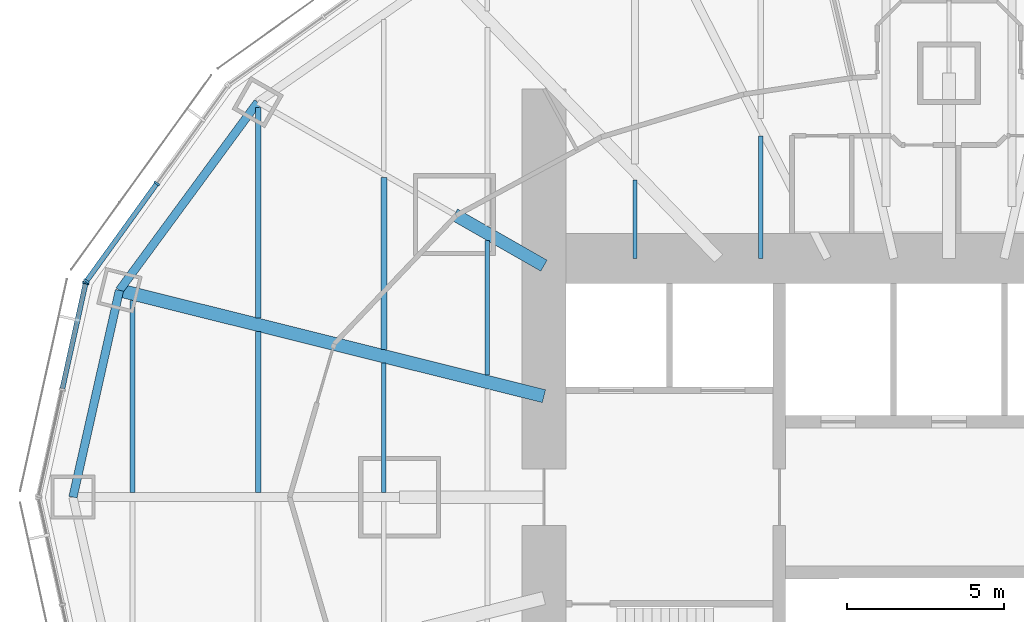
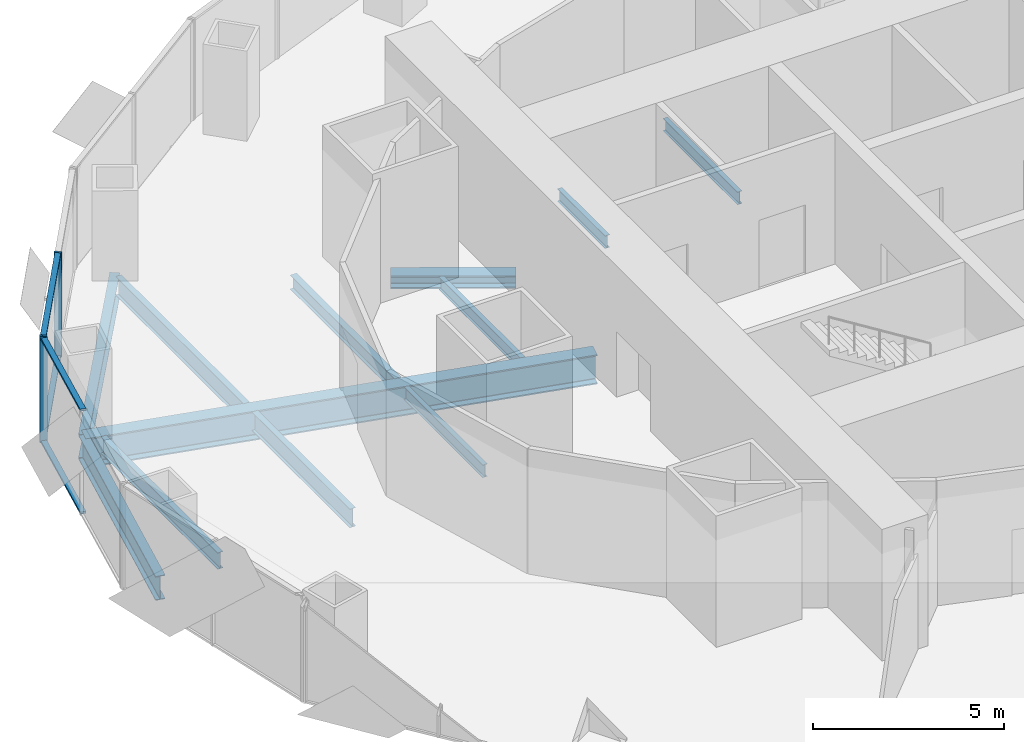
# One storey, part 4 of 18: 12 beams, 7 members, 2 elements without a shape of their own.
"""IFC4 building model written with IfcOpenShell, lengths in metres."""

from ifc_helpers import new_model, si_unit, direction, frame, origin, origin_2d, place, context, subcontext, project, spatial, rectangle, i_section, extrude, material, material_profile, profile_set, type_object, element, aggregate, save


model = new_model("IFC4")

# Units and contexts
model_context = context("Model", 3, precision=1e-05, world=origin(), true_north=direction((0.0, 1.0)))
body_context = subcontext(model_context, "Body", "Model", "MODEL_VIEW")
ifc_project = project(units=[si_unit("LENGTHUNIT", "METRE"), si_unit("AREAUNIT", "SQUARE_METRE"), si_unit("VOLUMEUNIT", "CUBIC_METRE"), si_unit("PLANEANGLEUNIT", "RADIAN"), si_unit("MASSUNIT", "GRAM", prefix="KILO")], contexts=[model_context])

# Site, building, storey
site_placement = place(None, origin())
site = spatial("IfcSite", under=ifc_project, at=site_placement, CompositionType="ELEMENT")
building_placement = place(site_placement, origin())
building = spatial("IfcBuilding", under=site, at=building_placement, Name="Lantaw Convention Tower", CompositionType="ELEMENT")
storey_placement = place(building_placement, frame((0.0, 0.0, 188.800048828125)))
storey = spatial("IfcBuildingStorey", under=building, at=storey_placement, Name="L44", CompositionType="ELEMENT", Elevation=188.800048828125)

# Beams
ifc_material_1 = material(Name="Steel ASTM A992", Category="steel")
ifc_material_profile_1 = material_profile(ifc_material_1, i_section(OverallWidth=0.2666015625, OverallDepth=0.76953125, WebThickness=0.015625, FlangeThickness=0.025390625, FilletRadius=0.0126953125, at=origin_2d()), Name="W30X132")
ifc_profile_set_1 = profile_set([ifc_material_profile_1], Name="Steel ASTM A992")
beam_type_1 = type_object("IfcBeamType", Name="Beam E W30X132", PredefinedType="SPANDREL", material=ifc_profile_set_1)
beam_1_placement = place(storey_placement, frame((-22.013916015625, 12.579345703125, -0.534912109375), z_axis=(-0.5923891972, -0.805651934176, 0.0), x_axis=(0.805651934176, -0.5923891972, 0.0)))
element("IfcBeam", 1, at=beam_1_placement, inside=storey, type_object=beam_type_1, Name="Edge beam 11", PredefinedType="SPANDREL", context=body_context, shape_type="SweptSolid", body=[
    extrude(i_section(OverallWidth=0.2666015625, OverallDepth=0.76953125, WebThickness=0.015625, FlangeThickness=0.025390625, FilletRadius=0.0126953125, at=origin_2d()), origin(), (0.0, 0.0, 1.0), 7.437744140625),
])
beam_2_placement = place(storey_placement, frame((-26.419921875, 6.587158203125, -0.534912109375), z_axis=(-0.219211877447, -0.975677279015, 0.0), x_axis=(0.975677279015, -0.219211877447, 0.0)))
element("IfcBeam", 2, at=beam_2_placement, inside=storey, type_object=beam_type_1, Name="Edge beam 12", PredefinedType="SPANDREL", context=body_context, shape_type="SweptSolid", body=[
    extrude(i_section(OverallWidth=0.2666015625, OverallDepth=0.76953125, WebThickness=0.015625, FlangeThickness=0.025390625, FilletRadius=0.0126953125, at=origin_2d()), origin(), (0.0, 0.0, 1.0), 6.75146484375),
])
ifc_material_profile_2 = material_profile(ifc_material_1, i_section(OverallWidth=0.421630859375, OverallDepth=0.937255859375, WebThickness=0.0224609375, FlangeThickness=0.039794921875, FilletRadius=0.02001953125, at=origin_2d()), Name="W36X282")
ifc_profile_set_2 = profile_set([ifc_material_profile_2], Name="Steel ASTM A992")
beam_type_2 = type_object("IfcBeamType", Name="Beam G W36X282", PredefinedType="BEAM", material=ifc_profile_set_2)
beam_3_placement = place(storey_placement, frame((-12.89990234375, 3.21630859375, -0.61865234375), z_axis=(-0.970296903132, 0.24191717544, 0.0), x_axis=(-0.24191717544, -0.970296903132, 0.0)))
element("IfcBeam", 3, at=beam_3_placement, inside=storey, type_object=beam_type_2, Name="Floor girder on ray 12", PredefinedType="BEAM", context=body_context, shape_type="SweptSolid", body=[
    extrude(i_section(OverallWidth=0.421630859375, OverallDepth=0.937255859375, WebThickness=0.0224609375, FlangeThickness=0.039794921875, FilletRadius=0.02001953125, at=origin_2d()), origin(), (0.0, 0.0, 1.0), 13.933837890625),
])
ifc_material_profile_3 = material_profile(ifc_material_1, i_section(OverallWidth=0.40380859375, OverallDepth=0.406494140625, WebThickness=0.027099609375, FlangeThickness=0.043701171875, FilletRadius=0.01513671875, at=origin_2d()), Name="W14X233")
ifc_profile_set_3 = profile_set([ifc_material_profile_3], Name="Steel ASTM A992")
beam_type_3 = type_object("IfcBeamType", Name="Beam GM W14X233", PredefinedType="BEAM", material=ifc_profile_set_3)
beam_4_placement = place(storey_placement, frame((-12.89990234375, 7.371337890625, -0.353271484375), z_axis=(-0.868238565244, 0.496146947811, 0.0), x_axis=(-0.496146947811, -0.868238565244, 0.0)))
element("IfcBeam", 4, at=beam_4_placement, inside=storey, type_object=beam_type_3, Name="Core link beam on ray 11", PredefinedType="BEAM", context=body_context, shape_type="SweptSolid", body=[
    extrude(i_section(OverallWidth=0.40380859375, OverallDepth=0.406494140625, WebThickness=0.027099609375, FlangeThickness=0.043701171875, FilletRadius=0.01513671875, at=origin_2d()), origin(), (0.0, 0.0, 1.0), 3.28271484375),
])
ifc_material_profile_4 = material_profile(ifc_material_1, i_section(OverallWidth=0.140380859375, OverallDepth=0.40380859375, WebThickness=0.007080078125, FlangeThickness=0.01123046875, FilletRadius=0.01025390625, at=origin_2d()), Name="W16X31")
ifc_profile_set_4 = profile_set([ifc_material_profile_4], Name="Steel ASTM A992")
beam_type_4 = type_object("IfcBeamType", Name="Beam J W16X31", PredefinedType="JOIST", material=ifc_profile_set_4)
beam_5_placement = place(storey_placement, frame((-18.0, 0.14599609375, -0.35205078125), z_axis=(0.0, 1.0, 0.0), x_axis=(-1.0, 0.0, 0.0)))
element("IfcBeam", 5, at=beam_5_placement, inside=storey, type_object=beam_type_4, Name="Floor joist", PredefinedType="JOIST", context=body_context, shape_type="SweptSolid", body=[
    extrude(i_section(OverallWidth=0.140380859375, OverallDepth=0.40380859375, WebThickness=0.007080078125, FlangeThickness=0.01123046875, FilletRadius=0.01025390625, at=origin_2d()), origin(), (0.0, 0.0, 1.0), 4.124755859375),
])
beam_6_placement = place(storey_placement, frame((-14.699951171875, 3.88232421875, -0.35205078125), z_axis=(0.0, 1.0, 0.0), x_axis=(-1.0, 0.0, 0.0)))
element("IfcBeam", 6, at=beam_6_placement, inside=storey, type_object=beam_type_4, Name="Floor joist", PredefinedType="JOIST", context=body_context, shape_type="SweptSolid", body=[
    extrude(i_section(OverallWidth=0.140380859375, OverallDepth=0.40380859375, WebThickness=0.007080078125, FlangeThickness=0.01123046875, FilletRadius=0.01025390625, at=origin_2d()), origin(), (0.0, 0.0, 1.0), 4.28515625),
])
beam_7_placement = place(storey_placement, frame((-10.0, 7.60009765625, -0.35205078125), z_axis=(0.0, 1.0, 0.0), x_axis=(-1.0, 0.0, 0.0)))
element("IfcBeam", 7, at=beam_7_placement, inside=storey, type_object=beam_type_4, Name="Floor joist", PredefinedType="JOIST", context=body_context, shape_type="SweptSolid", body=[
    extrude(i_section(OverallWidth=0.140380859375, OverallDepth=0.40380859375, WebThickness=0.007080078125, FlangeThickness=0.01123046875, FilletRadius=0.01025390625, at=origin_2d()), origin(), (0.0, 0.0, 1.0), 2.49560546875),
])
beam_8_placement = place(storey_placement, frame((-6.0, 7.60009765625, -0.35205078125), z_axis=(0.0, 1.0, 0.0), x_axis=(-1.0, 0.0, 0.0)))
element("IfcBeam", 8, at=beam_8_placement, inside=storey, type_object=beam_type_4, Name="Floor joist", PredefinedType="JOIST", context=body_context, shape_type="SweptSolid", body=[
    extrude(i_section(OverallWidth=0.140380859375, OverallDepth=0.40380859375, WebThickness=0.007080078125, FlangeThickness=0.01123046875, FilletRadius=0.01025390625, at=origin_2d()), origin(), (0.0, 0.0, 1.0), 3.895751953125),
])
ifc_material_profile_5 = material_profile(ifc_material_1, i_section(OverallWidth=0.1904296875, OverallDepth=0.457275390625, WebThickness=0.009033203125, FlangeThickness=0.014404296875, FilletRadius=0.01025390625, at=origin_2d()), Name="W18X50")
ifc_profile_set_5 = profile_set([ifc_material_profile_5], Name="Steel ASTM A992")
beam_type_5 = type_object("IfcBeamType", Name="Beam J W18X50", PredefinedType="JOIST", material=ifc_profile_set_5)
beam_9_placement = place(storey_placement, frame((-18.0, 4.705078125, -0.378662109375), z_axis=(0.0, 1.0, 0.0), x_axis=(-1.0, 0.0, 0.0)))
element("IfcBeam", 9, at=beam_9_placement, inside=storey, type_object=beam_type_5, Name="Floor joist", PredefinedType="JOIST", context=body_context, shape_type="SweptSolid", body=[
    extrude(i_section(OverallWidth=0.1904296875, OverallDepth=0.457275390625, WebThickness=0.009033203125, FlangeThickness=0.014404296875, FilletRadius=0.01025390625, at=origin_2d()), origin(), (0.0, 0.0, 1.0), 5.47802734375),
])
ifc_material_profile_6 = material_profile(ifc_material_1, i_section(OverallWidth=0.1650390625, OverallDepth=0.52587890625, WebThickness=0.0087890625, FlangeThickness=0.011474609375, FilletRadius=0.0126953125, at=origin_2d()), Name="W21X44")
ifc_profile_set_6 = profile_set([ifc_material_profile_6], Name="Steel ASTM A992")
beam_type_6 = type_object("IfcBeamType", Name="Beam J W21X44", PredefinedType="JOIST", material=ifc_profile_set_6)
beam_10_placement = place(storey_placement, frame((-26.0, 0.14599609375, -0.412841796875), z_axis=(0.0, 1.0, 0.0), x_axis=(-1.0, 0.0, 0.0)))
element("IfcBeam", 10, at=beam_10_placement, inside=storey, type_object=beam_type_6, Name="Floor joist", PredefinedType="JOIST", context=body_context, shape_type="SweptSolid", body=[
    extrude(i_section(OverallWidth=0.1650390625, OverallDepth=0.52587890625, WebThickness=0.0087890625, FlangeThickness=0.011474609375, FilletRadius=0.0126953125, at=origin_2d()), origin(), (0.0, 0.0, 1.0), 6.119140625),
])
ifc_material_profile_7 = material_profile(ifc_material_1, i_section(OverallWidth=0.177978515625, OverallDepth=0.599365234375, WebThickness=0.010009765625, FlangeThickness=0.012939453125, FilletRadius=0.012939453125, at=origin_2d()), Name="W24X55")
ifc_profile_set_7 = profile_set([ifc_material_profile_7], Name="Steel ASTM A992")
beam_type_7 = type_object("IfcBeamType", Name="Beam J W24X55", PredefinedType="JOIST", material=ifc_profile_set_7)
beam_11_placement = place(storey_placement, frame((-22.0, 0.14599609375, -0.44970703125), z_axis=(0.0, 1.0, 0.0), x_axis=(-1.0, 0.0, 0.0)))
element("IfcBeam", 11, at=beam_11_placement, inside=storey, type_object=beam_type_7, Name="Floor joist", PredefinedType="JOIST", context=body_context, shape_type="SweptSolid", body=[
    extrude(i_section(OverallWidth=0.177978515625, OverallDepth=0.599365234375, WebThickness=0.010009765625, FlangeThickness=0.012939453125, FilletRadius=0.012939453125, at=origin_2d()), origin(), (0.0, 0.0, 1.0), 5.121826171875),
])
beam_12_placement = place(storey_placement, frame((-22.0, 5.702392578125, -0.44970703125), z_axis=(0.0, 1.0, 0.0), x_axis=(-1.0, 0.0, 0.0)))
element("IfcBeam", 12, at=beam_12_placement, inside=storey, type_object=beam_type_7, Name="Floor joist", PredefinedType="JOIST", context=body_context, shape_type="SweptSolid", body=[
    extrude(i_section(OverallWidth=0.177978515625, OverallDepth=0.599365234375, WebThickness=0.010009765625, FlangeThickness=0.012939453125, FilletRadius=0.012939453125, at=origin_2d()), origin(), (0.0, 0.0, 1.0), 6.70654296875),
])

# Curtain wall, members
ifc_material_2 = material(Name="Aluminium framed curtain wall", Category="aluminium")
curtain_wall_type = type_object("IfcCurtainWallType", Name="Office curtain wall low rise, pale aluminium", PredefinedType="USERDEFINED", material=ifc_material_2)
curtain_wall_1_placement = place(storey_placement, origin())
curtain_wall_1 = element("IfcCurtainWall", 13, at=curtain_wall_1_placement, inside=storey, type_object=curtain_wall_type, Name="Office curtain wall low rise, pale aluminium L44", ObjectType="UNITISED CURTAIN WALL", PredefinedType="USERDEFINED")
ifc_material_3 = material(Name="Aluminium 6063-T6", Category="aluminium")
ifc_material_profile_8 = material_profile(ifc_material_3, rectangle(XDim=0.199951171875, YDim=0.06494140625, at=origin_2d()), Name="CW-O1 mullion 65x200")
ifc_profile_set_8 = profile_set([ifc_material_profile_8], Name="Aluminium 6063-T6")
member_type_1 = type_object("IfcMemberType", Name="CW-O1 mullion 65x200", PredefinedType="MULLION", material=ifc_profile_set_8)
member_1_placement = place(storey_placement, frame((-25.22802734375, 9.9892578125, -0.150146484375), z_axis=(0.0, 0.0, 1.0), x_axis=(0.811384633629, -0.584512597221, 0.0)))
member_1 = element("IfcMember", 14, at=member_1_placement, type_object=member_type_1, Name="CW-O1 mullion 2", PredefinedType="MULLION", context=body_context, shape_type="SweptSolid", body=[
    extrude(rectangle(XDim=0.199951171875, YDim=0.06494140625, at=origin_2d()), origin(), (0.0, 0.0, 1.0), 3.35009765625),
])
member_2_placement = place(storey_placement, frame((-27.46826171875, 6.879638671875, -0.150146484375), z_axis=(0.0, 0.0, 1.0), x_axis=(0.811384633629, -0.584512597221, 0.0)))
member_2 = element("IfcMember", 15, at=member_2_placement, type_object=member_type_1, Name="CW-O1 mullion 3", PredefinedType="MULLION", context=body_context, shape_type="SweptSolid", body=[
    extrude(rectangle(XDim=0.199951171875, YDim=0.06494140625, at=origin_2d()), origin(), (0.0, 0.0, 1.0), 3.35009765625),
])

# Curtain wall, member
curtain_wall_2_placement = place(storey_placement, origin())
curtain_wall_2 = element("IfcCurtainWall", 16, at=curtain_wall_2_placement, inside=storey, type_object=curtain_wall_type, Name="Office curtain wall low rise, pale aluminium L44", ObjectType="UNITISED CURTAIN WALL", PredefinedType="USERDEFINED")
member_3_placement = place(storey_placement, frame((-27.494140625, 6.821533203125, -0.150146484375), z_axis=(0.0, 0.0, 1.0), x_axis=(0.9764936509, -0.215546166174, 0.0)))
member_3 = element("IfcMember", 17, at=member_3_placement, type_object=member_type_1, Name="CW-O1 mullion 1", PredefinedType="MULLION", context=body_context, shape_type="SweptSolid", body=[
    extrude(rectangle(XDim=0.199951171875, YDim=0.06494140625, at=origin_2d()), origin(), (0.0, 0.0, 1.0), 3.35009765625),
])

# Member
ifc_material_profile_9 = material_profile(ifc_material_3, rectangle(XDim=0.159912109375, YDim=0.06494140625, at=origin_2d()), Name="CW-O1 transom 65x160")
ifc_profile_set_9 = profile_set([ifc_material_profile_9], Name="Aluminium 6063-T6")
member_type_2 = type_object("IfcMemberType", Name="CW-O1 transom 65x160", PredefinedType="USERDEFINED", material=ifc_profile_set_9)
member_4_placement = place(storey_placement, frame((-25.2470703125, 9.962890625, -0.117431640625), z_axis=(-0.584512973979, -0.811384362217, 0.0), x_axis=(0.811384362217, -0.584512973979, 0.0)))
member_4 = element("IfcMember", 18, at=member_4_placement, type_object=member_type_2, Name="CW-O1 transom 2.1", ObjectType="TRANSOM", PredefinedType="USERDEFINED", context=body_context, shape_type="SweptSolid", body=[
    extrude(rectangle(XDim=0.159912109375, YDim=0.06494140625, at=origin_2d()), origin(), (0.0, 0.0, 1.0), 3.767578125),
])

member_5_placement = place(storey_placement, frame((-25.2470703125, 9.962890625, 3.16748046875), z_axis=(-0.584512973979, -0.811384362217, 0.0), x_axis=(0.811384362217, -0.584512973979, 0.0)))
member_5 = element("IfcMember", 19, at=member_5_placement, type_object=member_type_2, Name="CW-O1 transom 2.2", ObjectType="TRANSOM", PredefinedType="USERDEFINED", context=body_context, shape_type="SweptSolid", body=[
    extrude(rectangle(XDim=0.159912109375, YDim=0.06494140625, at=origin_2d()), origin(), (0.0, 0.0, 1.0), 3.767578125),
])

aggregate(curtain_wall_1, [member_1, member_2, member_4, member_5])

member_6_placement = place(storey_placement, frame((-27.501220703125, 6.789794921875, -0.117431640625), z_axis=(-0.21555115847, -0.976492548913, 0.0), x_axis=(0.976492548913, -0.21555115847, 0.0)))
member_6 = element("IfcMember", 20, at=member_6_placement, type_object=member_type_2, Name="CW-O1 transom 1.1", ObjectType="TRANSOM", PredefinedType="USERDEFINED", context=body_context, shape_type="SweptSolid", body=[
    extrude(rectangle(XDim=0.159912109375, YDim=0.06494140625, at=origin_2d()), origin(), (0.0, 0.0, 1.0), 3.411376953125),
])

member_7_placement = place(storey_placement, frame((-27.501220703125, 6.789794921875, 3.16748046875), z_axis=(-0.21555115847, -0.976492548913, 0.0), x_axis=(0.976492548913, -0.21555115847, 0.0)))
member_7 = element("IfcMember", 21, at=member_7_placement, type_object=member_type_2, Name="CW-O1 transom 1.2", ObjectType="TRANSOM", PredefinedType="USERDEFINED", context=body_context, shape_type="SweptSolid", body=[
    extrude(rectangle(XDim=0.159912109375, YDim=0.06494140625, at=origin_2d()), origin(), (0.0, 0.0, 1.0), 3.411376953125),
])

aggregate(curtain_wall_2, [member_3, member_6, member_7])

save(model, "model.ifc")
